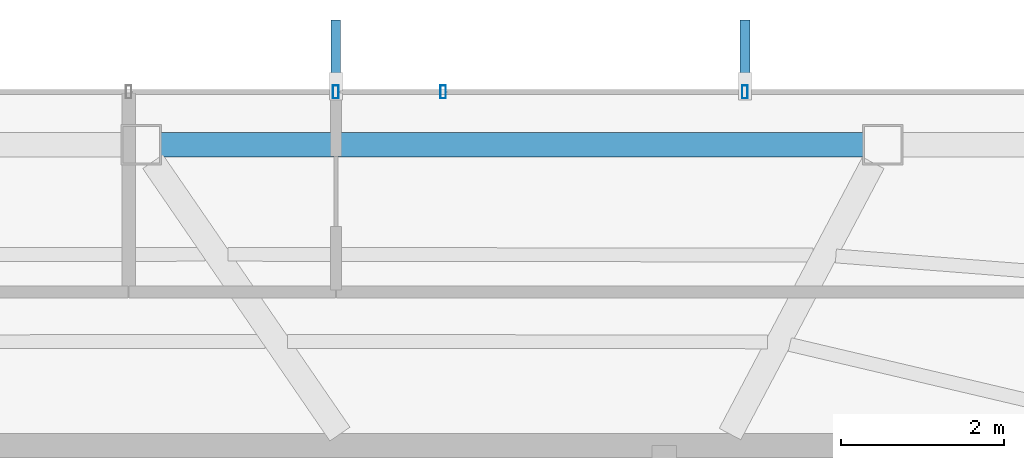
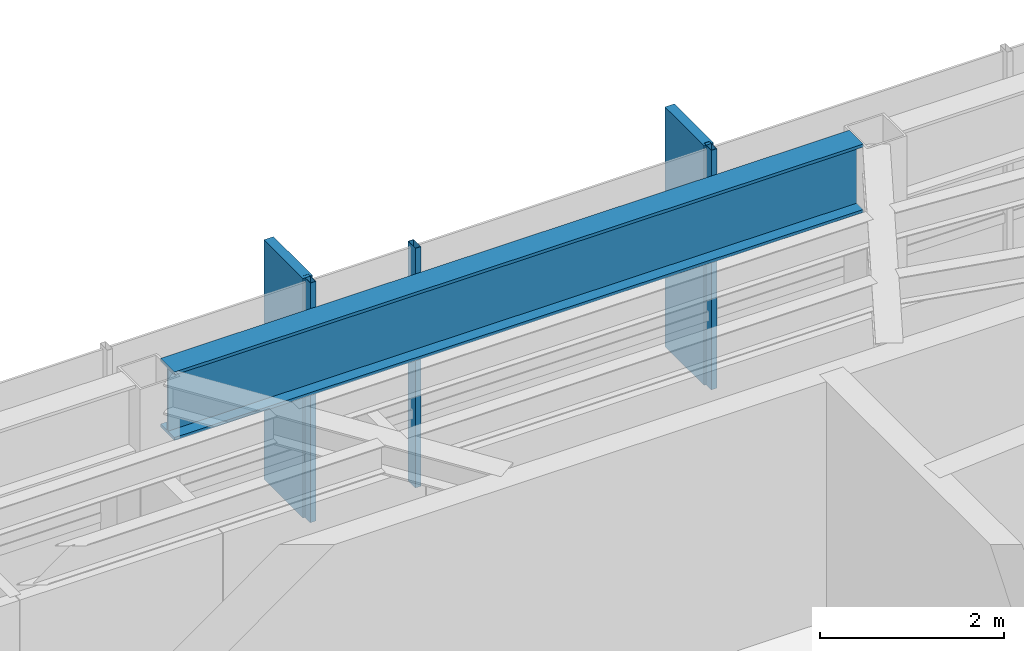
# One storey, part 14 of 24: 5 members, 1 beam, 1 element without a shape of its own.
"""IFC4 building model written with IfcOpenShell, lengths in metres."""

from ifc_helpers import new_model, si_unit, direction, frame, origin, origin_2d, place, context, subcontext, project, spatial, rectangle, hollow_rectangle, i_section, extrude, material, layer, layer_set, material_profile, profile_set, type_object, element, aggregate, save


model = new_model("IFC4")

# Units and contexts
model_context = context("Model", 3, precision=1e-05, world=origin(), true_north=direction((0.0, 1.0)))
body_context = subcontext(model_context, "Body", "Model", "MODEL_VIEW")
ifc_project = project(units=[si_unit("LENGTHUNIT", "METRE"), si_unit("AREAUNIT", "SQUARE_METRE"), si_unit("VOLUMEUNIT", "CUBIC_METRE"), si_unit("PLANEANGLEUNIT", "RADIAN"), si_unit("MASSUNIT", "GRAM", prefix="KILO")], contexts=[model_context])

# Site, building, storey
site_placement = place(None, origin())
site = spatial("IfcSite", under=ifc_project, at=site_placement, CompositionType="ELEMENT")
building_placement = place(site_placement, origin())
building = spatial("IfcBuilding", under=site, at=building_placement, Name="Zarrinselat Tower", CompositionType="ELEMENT")
storey_placement = place(building_placement, frame((0.0, 0.0, 272.0)))
storey = spatial("IfcBuildingStorey", under=building, at=storey_placement, Name="L69", CompositionType="ELEMENT", Elevation=272.0)

# Beam
ifc_material_1 = material(Name="Steel S460M", Category="steel")
ifc_material_profile_1 = material_profile(ifc_material_1, i_section(OverallWidth=0.302001953125, OverallDepth=0.909912109375, WebThickness=0.02099609375, FlangeThickness=0.0400390625, at=origin_2d()), Name="HEM 900")
ifc_profile_set_1 = profile_set([ifc_material_profile_1], Name="Steel S460M")
beam_type = type_object("IfcBeamType", Name="BM-HEM900", PredefinedType="BEAM", material=ifc_profile_set_1)
beam_placement = place(storey_placement, frame((38.79345703125, 47.10009765625, 2.72509765625), z_axis=(1.0, 0.0, 0.0), x_axis=(0.0, 1.0, 0.0)))
element("IfcBeam", 1, at=beam_placement, inside=storey, type_object=beam_type, Name="L69 Perimeter Spandrel Girder SP02", PredefinedType="BEAM", context=body_context, shape_type="SweptSolid", body=[
    extrude(i_section(OverallWidth=0.302001953125, OverallDepth=0.909912109375, WebThickness=0.02099609375, FlangeThickness=0.0400390625, at=origin_2d()), origin(), (0.0, 0.0, 1.0), 8.64794921875),
])

# Curtain wall, members
ifc_material_2 = material(Name="Extruded Aluminium Alloy EN AW-6063 T6", Category="aluminium")
ifc_layer = layer(ifc_material_2, 0.169921875)
ifc_layer_set = layer_set([ifc_layer], Name="Extruded Aluminium Alloy EN AW-6063 T6")
curtain_wall_type = type_object("IfcCurtainWallType", Name="CWS-RES", PredefinedType="NOTDEFINED", material=ifc_layer_set)
curtain_wall_placement = place(storey_placement, origin())
curtain_wall = element("IfcCurtainWall", 2, at=curtain_wall_placement, inside=storey, type_object=curtain_wall_type, Name="L69 Unitised Curtain Wall CW-L69-E01", PredefinedType="NOTDEFINED")
ifc_material_3 = material(Name="Extruded Aluminium Alloy EN AW-6063 T6", Category="aluminium")
ifc_material_profile_2 = material_profile(ifc_material_3, hollow_rectangle(XDim=0.070068359375, YDim=0.159912109375, WallThickness=0.00390625, at=origin_2d()), Name="RHS 160x70x4")
ifc_profile_set_2 = profile_set([ifc_material_profile_2], Name="Extruded Aluminium Alloy EN AW-6063 T6")
member_type_1 = type_object("IfcMemberType", Name="MEM-CW-MUL2", PredefinedType="MULLION", material=ifc_profile_set_2)
member_1_placement = place(storey_placement, frame((45.9833984375, 47.75, 0.0), z_axis=(0.0, 0.0, 1.0), x_axis=(-1.0, 0.0, 0.0)))
member_1 = element("IfcMember", 3, at=member_1_placement, type_object=member_type_1, Name="CW-L69-E01 Mullion 3", PredefinedType="MULLION", context=body_context, shape_type="SweptSolid", body=[
    extrude(hollow_rectangle(XDim=0.070068359375, YDim=0.159912109375, WallThickness=0.00390625, at=origin_2d()), origin(), (0.0, 0.0, 1.0), 3.179931640625),
])
member_2_placement = place(storey_placement, frame((42.269287109375, 47.75, 0.0), z_axis=(0.0, 0.0, 1.0), x_axis=(-1.0, 0.0, 0.0)))
member_2 = element("IfcMember", 4, at=member_2_placement, type_object=member_type_1, Name="CW-L69-E01 Mullion 4", PredefinedType="MULLION", context=body_context, shape_type="SweptSolid", body=[
    extrude(hollow_rectangle(XDim=0.070068359375, YDim=0.159912109375, WallThickness=0.00390625, at=origin_2d()), origin(), (0.0, 0.0, 1.0), 3.179931640625),
])
member_3_placement = place(storey_placement, frame((40.949951171875, 47.75, 0.0), z_axis=(0.0, 0.0, 1.0), x_axis=(-1.0, 0.0, 0.0)))
member_3 = element("IfcMember", 5, at=member_3_placement, type_object=member_type_1, Name="CW-L69-E01 Mullion 5", PredefinedType="MULLION", context=body_context, shape_type="SweptSolid", body=[
    extrude(hollow_rectangle(XDim=0.070068359375, YDim=0.159912109375, WallThickness=0.00390625, at=origin_2d()), origin(), (0.0, 0.0, 1.0), 3.179931640625),
])
ifc_material_4 = material(Name="Honed Cream Travertine Stone", Category="masonry")
ifc_material_profile_3 = material_profile(ifc_material_4, rectangle(XDim=0.1201171875, YDim=0.85009765625, at=origin_2d()), Name="FIN 850x120")
ifc_profile_set_3 = profile_set([ifc_material_profile_3], Name="Honed Cream Travertine Stone")
member_type_2 = type_object("IfcMemberType", Name="MEM-STONE-FIN", PredefinedType="USERDEFINED", material=ifc_profile_set_3)
member_4_placement = place(storey_placement, frame((45.9833984375, 48.2099609375, 0.0), z_axis=(0.0, 0.0, 1.0), x_axis=(1.0, 0.0, 0.0)))
member_4 = element("IfcMember", 6, at=member_4_placement, type_object=member_type_2, Name="L69 Stone Shading Fin CW-L69-E01-03", ObjectType="FIN", PredefinedType="USERDEFINED", context=body_context, shape_type="SweptSolid", body=[
    extrude(rectangle(XDim=0.1201171875, YDim=0.85009765625, at=origin_2d()), origin(), (0.0, 0.0, 1.0), 3.179931640625),
])
member_5_placement = place(storey_placement, frame((40.949951171875, 48.2099609375, 0.0), z_axis=(0.0, 0.0, 1.0), x_axis=(1.0, 0.0, 0.0)))
member_5 = element("IfcMember", 7, at=member_5_placement, type_object=member_type_2, Name="L69 Stone Shading Fin CW-L69-E01-05", ObjectType="FIN", PredefinedType="USERDEFINED", context=body_context, shape_type="SweptSolid", body=[
    extrude(rectangle(XDim=0.1201171875, YDim=0.85009765625, at=origin_2d()), origin(), (0.0, 0.0, 1.0), 3.179931640625),
])
aggregate(curtain_wall, [member_1, member_4, member_2, member_3, member_5])

save(model, "model.ifc")
